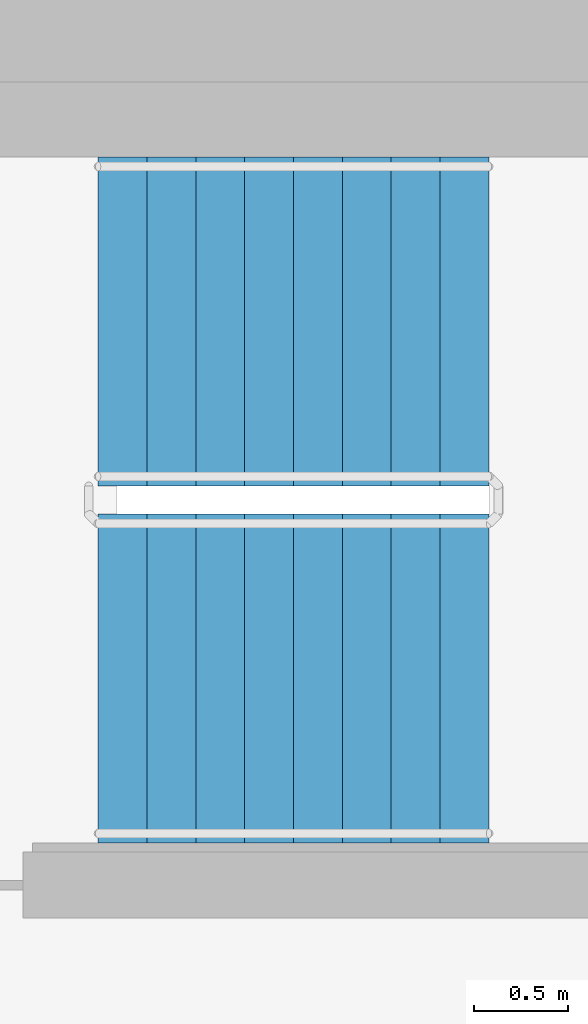
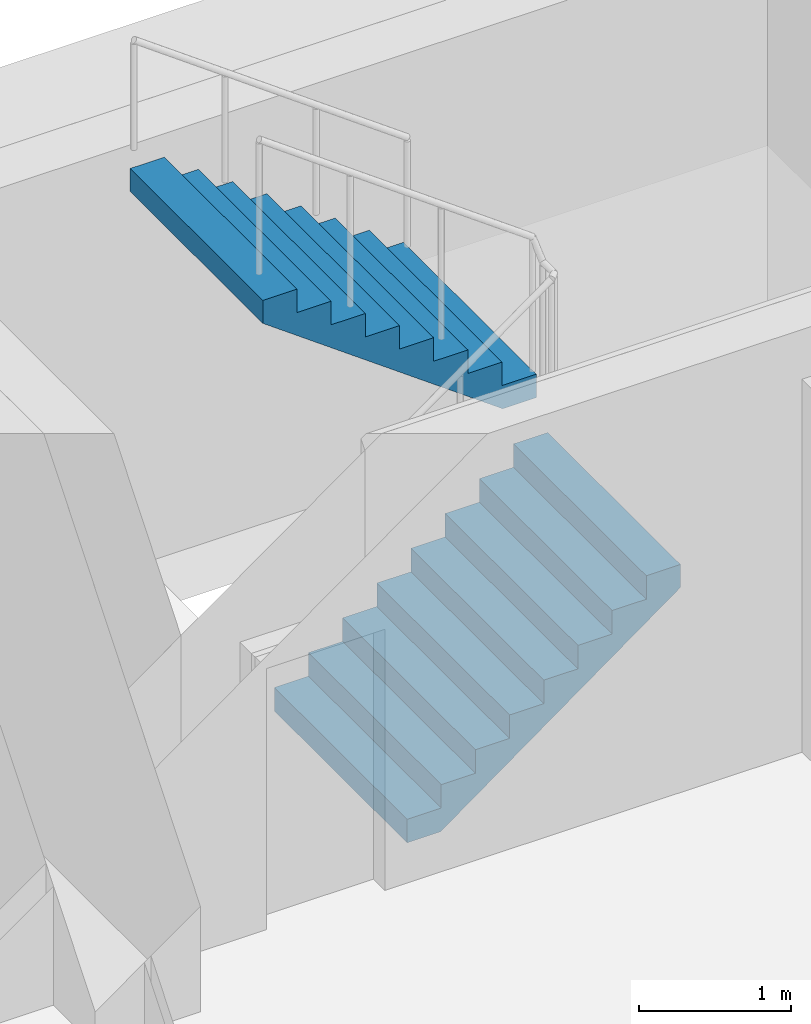
# One storey, part 15 of 20: 2 stair flights, 1 element without a shape of its own.
"""IFC4 building model written with IfcOpenShell, lengths in metres."""

from ifc_helpers import new_model, si_unit, direction, frame, origin, place, context, subcontext, project, spatial, faceted_brep, material, type_object, element, aggregate, save


model = new_model("IFC4")

# Units and contexts
model_context = context("Model", 3, precision=1e-05, world=origin(), true_north=direction((0.0, 1.0)))
body_context = subcontext(model_context, "Body", "Model", "MODEL_VIEW")
ifc_project = project(units=[si_unit("LENGTHUNIT", "METRE"), si_unit("AREAUNIT", "SQUARE_METRE"), si_unit("VOLUMEUNIT", "CUBIC_METRE"), si_unit("PLANEANGLEUNIT", "RADIAN"), si_unit("MASSUNIT", "GRAM", prefix="KILO")], contexts=[model_context])

# Site, building, storey
site_placement = place(None, origin())
site = spatial("IfcSite", under=ifc_project, at=site_placement, CompositionType="ELEMENT")
building_placement = place(site_placement, origin())
building = spatial("IfcBuilding", under=site, at=building_placement, Name="Ipe Terrace Towers", CompositionType="ELEMENT")
storey_placement = place(building_placement, frame((0.0, 0.0, 167.699951171875)))
storey = spatial("IfcBuildingStorey", under=building, at=storey_placement, Name="L46", CompositionType="ELEMENT", Elevation=167.699951171875)

# Stair, stair flights
ifc_material_1 = material(Name="Concrete C30/37", Category="concrete")
stair_type = type_object("IfcStairType", Name="Protected exit stair", PredefinedType="HALF_TURN_STAIR", material=ifc_material_1)
stair_placement = place(storey_placement, origin())
stair = element("IfcStair", 1, at=stair_placement, inside=storey, type_object=stair_type, Name="L46 Exit stair T1-C1", PredefinedType="HALF_TURN_STAIR")
ifc_material_2 = material(Name="Concrete C30/37", Category="concrete")
stair_flight_type = type_object("IfcStairFlightType", Name="Exit stair flight 1750", PredefinedType="STRAIGHT", material=ifc_material_2)
stair_flight_1_placement = place(storey_placement, frame((-26.300048828125, 2.77490234375, 0.0), z_axis=(0.0, 0.0, 1.0), x_axis=(1.0, 0.0, 0.0)))
stair_flight_1 = element("IfcStairFlight", 2, at=stair_flight_1_placement, type_object=stair_flight_type, Name="T1-ST1 flight 1", NumberOfRisers=9, NumberOfTreads=8, PredefinedType="STRAIGHT", RiserHeight=0.188888889, TreadLength=0.26, context=body_context, shape_type="Brep", body=[
    faceted_brep([(0.255126953125, -0.875, 0.0), (2.080078125, -0.875, 1.325927734375), (2.080078125, -0.875, 1.51123046875), (1.820068359375, -0.875, 1.51123046875), (1.820068359375, -0.875, 1.322265625), (1.56005859375, -0.875, 1.322265625), (1.56005859375, -0.875, 1.13330078125), (1.300048828125, -0.875, 1.13330078125), (1.300048828125, -0.875, 0.9443359375), (1.0400390625, -0.875, 0.9443359375), (1.0400390625, -0.875, 0.755615234375), (0.780029296875, -0.875, 0.755615234375), (0.780029296875, -0.875, 0.566650390625), (0.52001953125, -0.875, 0.566650390625), (0.52001953125, -0.875, 0.377685546875), (0.260009765625, -0.875, 0.377685546875), (0.260009765625, -0.875, 0.18896484375), (0.0, -0.875, 0.18896484375), (0.0, -0.875, 0.0), (0.0, 0.875, 0.0), (0.0, 0.875, 0.18896484375), (0.260009765625, 0.875, 0.18896484375), (0.260009765625, 0.875, 0.377685546875), (0.52001953125, 0.875, 0.377685546875), (0.52001953125, 0.875, 0.566650390625), (0.780029296875, 0.875, 0.566650390625), (0.780029296875, 0.875, 0.755615234375), (1.0400390625, 0.875, 0.755615234375), (1.0400390625, 0.875, 0.9443359375), (1.300048828125, 0.875, 0.9443359375), (1.300048828125, 0.875, 1.13330078125), (1.56005859375, 0.875, 1.13330078125), (1.56005859375, 0.875, 1.322265625), (1.820068359375, 0.875, 1.322265625), (1.820068359375, 0.875, 1.51123046875), (2.080078125, 0.875, 1.51123046875), (2.080078125, 0.875, 1.325927734375), (0.255126953125, 0.875, 0.0), (0.0, -0.300048828125, 0.18896484375), (0.0, -0.1201171875, 0.18896484375), (0.0, -0.06005859375, 0.18896484375), (0.0, -0.030029296875, 0.18896484375), (0.0, -0.010009765625, 0.18896484375), (0.0, 0.0, 0.18896484375), (0.0, 0.010009765625, 0.18896484375), (0.0, 0.030029296875, 0.18896484375), (0.0, 0.06005859375, 0.18896484375), (0.0, 0.1201171875, 0.18896484375), (0.0, 0.300048828125, 0.18896484375), (0.0, 0.300048828125, 0.0), (0.0, 0.1201171875, 0.0), (0.0, 0.06005859375, 0.0), (0.0, 0.030029296875, 0.0), (0.0, 0.010009765625, 0.0), (0.0, 0.0, 0.0), (0.0, -0.010009765625, 0.0), (0.0, -0.030029296875, 0.0), (0.0, -0.06005859375, 0.0), (0.0, -0.1201171875, 0.0), (0.0, -0.300048828125, 0.0), (0.260009765625, -0.300048828125, 0.18896484375), (0.260009765625, -0.1201171875, 0.18896484375), (0.260009765625, -0.06005859375, 0.18896484375), (0.260009765625, -0.030029296875, 0.18896484375), (0.260009765625, -0.010009765625, 0.18896484375), (0.260009765625, 0.0, 0.18896484375), (0.260009765625, 0.010009765625, 0.18896484375), (0.260009765625, 0.030029296875, 0.18896484375), (0.260009765625, 0.06005859375, 0.18896484375), (0.260009765625, 0.1201171875, 0.18896484375), (0.260009765625, 0.300048828125, 0.18896484375), (0.260009765625, -0.300048828125, 0.377685546875), (0.260009765625, -0.1201171875, 0.377685546875), (0.260009765625, -0.06005859375, 0.377685546875), (0.260009765625, -0.030029296875, 0.377685546875), (0.260009765625, -0.010009765625, 0.377685546875), (0.260009765625, 0.0, 0.377685546875), (0.260009765625, 0.010009765625, 0.377685546875), (0.260009765625, 0.030029296875, 0.377685546875), (0.260009765625, 0.06005859375, 0.377685546875), (0.260009765625, 0.1201171875, 0.377685546875), (0.260009765625, 0.300048828125, 0.377685546875), (0.52001953125, -0.300048828125, 0.377685546875), (0.52001953125, -0.1201171875, 0.377685546875), (0.52001953125, -0.06005859375, 0.377685546875), (0.52001953125, -0.030029296875, 0.377685546875), (0.52001953125, -0.010009765625, 0.377685546875), (0.52001953125, 0.0, 0.377685546875), (0.52001953125, 0.010009765625, 0.377685546875), (0.52001953125, 0.030029296875, 0.377685546875), (0.52001953125, 0.06005859375, 0.377685546875), (0.52001953125, 0.1201171875, 0.377685546875), (0.52001953125, 0.300048828125, 0.377685546875), (0.52001953125, -0.300048828125, 0.566650390625), (0.52001953125, -0.1201171875, 0.566650390625), (0.52001953125, -0.06005859375, 0.566650390625), (0.52001953125, -0.030029296875, 0.566650390625), (0.52001953125, -0.010009765625, 0.566650390625), (0.52001953125, 0.0, 0.566650390625), (0.52001953125, 0.010009765625, 0.566650390625), (0.52001953125, 0.030029296875, 0.566650390625), (0.52001953125, 0.06005859375, 0.566650390625), (0.52001953125, 0.1201171875, 0.566650390625), (0.52001953125, 0.300048828125, 0.566650390625), (0.780029296875, -0.300048828125, 0.566650390625), (0.780029296875, -0.1201171875, 0.566650390625), (0.780029296875, -0.06005859375, 0.566650390625), (0.780029296875, -0.030029296875, 0.566650390625), (0.780029296875, -0.010009765625, 0.566650390625), (0.780029296875, 0.0, 0.566650390625), (0.780029296875, 0.010009765625, 0.566650390625), (0.780029296875, 0.030029296875, 0.566650390625), (0.780029296875, 0.06005859375, 0.566650390625), (0.780029296875, 0.1201171875, 0.566650390625), (0.780029296875, 0.300048828125, 0.566650390625), (0.780029296875, -0.300048828125, 0.755615234375), (0.780029296875, -0.1201171875, 0.755615234375), (0.780029296875, -0.06005859375, 0.755615234375), (0.780029296875, -0.030029296875, 0.755615234375), (0.780029296875, -0.010009765625, 0.755615234375), (0.780029296875, 0.0, 0.755615234375), (0.780029296875, 0.010009765625, 0.755615234375), (0.780029296875, 0.030029296875, 0.755615234375), (0.780029296875, 0.06005859375, 0.755615234375), (0.780029296875, 0.1201171875, 0.755615234375), (0.780029296875, 0.300048828125, 0.755615234375), (1.0400390625, -0.300048828125, 0.755615234375), (1.0400390625, -0.1201171875, 0.755615234375), (1.0400390625, -0.06005859375, 0.755615234375), (1.0400390625, -0.030029296875, 0.755615234375), (1.0400390625, -0.010009765625, 0.755615234375), (1.0400390625, 0.0, 0.755615234375), (1.0400390625, 0.010009765625, 0.755615234375), (1.0400390625, 0.030029296875, 0.755615234375), (1.0400390625, 0.06005859375, 0.755615234375), (1.0400390625, 0.1201171875, 0.755615234375), (1.0400390625, 0.300048828125, 0.755615234375), (1.0400390625, -0.300048828125, 0.9443359375), (1.0400390625, -0.1201171875, 0.9443359375), (1.0400390625, -0.06005859375, 0.9443359375), (1.0400390625, -0.030029296875, 0.9443359375), (1.0400390625, -0.010009765625, 0.9443359375), (1.0400390625, 0.0, 0.9443359375), (1.0400390625, 0.010009765625, 0.9443359375), (1.0400390625, 0.030029296875, 0.9443359375), (1.0400390625, 0.06005859375, 0.9443359375), (1.0400390625, 0.1201171875, 0.9443359375), (1.0400390625, 0.300048828125, 0.9443359375), (1.300048828125, -0.300048828125, 0.9443359375), (1.300048828125, -0.1201171875, 0.9443359375), (1.300048828125, -0.06005859375, 0.9443359375), (1.300048828125, -0.030029296875, 0.9443359375), (1.300048828125, -0.010009765625, 0.9443359375), (1.300048828125, 0.0, 0.9443359375), (1.300048828125, 0.010009765625, 0.9443359375), (1.300048828125, 0.030029296875, 0.9443359375), (1.300048828125, 0.06005859375, 0.9443359375), (1.300048828125, 0.1201171875, 0.9443359375), (1.300048828125, 0.300048828125, 0.9443359375), (1.300048828125, -0.300048828125, 1.13330078125), (1.300048828125, -0.1201171875, 1.13330078125), (1.300048828125, -0.06005859375, 1.13330078125), (1.300048828125, -0.030029296875, 1.13330078125), (1.300048828125, -0.010009765625, 1.13330078125), (1.300048828125, 0.0, 1.13330078125), (1.300048828125, 0.010009765625, 1.13330078125), (1.300048828125, 0.030029296875, 1.13330078125), (1.300048828125, 0.06005859375, 1.13330078125), (1.300048828125, 0.1201171875, 1.13330078125), (1.300048828125, 0.300048828125, 1.13330078125), (1.56005859375, -0.300048828125, 1.13330078125), (1.56005859375, -0.1201171875, 1.13330078125), (1.56005859375, -0.06005859375, 1.13330078125), (1.56005859375, -0.030029296875, 1.13330078125), (1.56005859375, -0.010009765625, 1.13330078125), (1.56005859375, 0.0, 1.13330078125), (1.56005859375, 0.010009765625, 1.13330078125), (1.56005859375, 0.030029296875, 1.13330078125), (1.56005859375, 0.06005859375, 1.13330078125), (1.56005859375, 0.1201171875, 1.13330078125), (1.56005859375, 0.300048828125, 1.13330078125), (1.56005859375, -0.300048828125, 1.322265625), (1.56005859375, -0.1201171875, 1.322265625), (1.56005859375, -0.06005859375, 1.322265625), (1.56005859375, -0.030029296875, 1.322265625), (1.56005859375, -0.010009765625, 1.322265625), (1.56005859375, 0.0, 1.322265625), (1.56005859375, 0.010009765625, 1.322265625), (1.56005859375, 0.030029296875, 1.322265625), (1.56005859375, 0.06005859375, 1.322265625), (1.56005859375, 0.1201171875, 1.322265625), (1.56005859375, 0.300048828125, 1.322265625), (1.820068359375, -0.300048828125, 1.322265625), (1.820068359375, -0.1201171875, 1.322265625), (1.820068359375, -0.06005859375, 1.322265625), (1.820068359375, -0.030029296875, 1.322265625), (1.820068359375, -0.010009765625, 1.322265625), (1.820068359375, 0.0, 1.322265625), (1.820068359375, 0.010009765625, 1.322265625), (1.820068359375, 0.030029296875, 1.322265625), (1.820068359375, 0.06005859375, 1.322265625), (1.820068359375, 0.1201171875, 1.322265625), (1.820068359375, 0.300048828125, 1.322265625), (1.820068359375, -0.300048828125, 1.51123046875), (1.820068359375, -0.1201171875, 1.51123046875), (1.820068359375, -0.06005859375, 1.51123046875), (1.820068359375, -0.030029296875, 1.51123046875), (1.820068359375, -0.010009765625, 1.51123046875), (1.820068359375, 0.0, 1.51123046875), (1.820068359375, 0.010009765625, 1.51123046875), (1.820068359375, 0.030029296875, 1.51123046875), (1.820068359375, 0.06005859375, 1.51123046875), (1.820068359375, 0.1201171875, 1.51123046875), (1.820068359375, 0.300048828125, 1.51123046875), (2.080078125, -0.300048828125, 1.51123046875), (2.080078125, -0.1201171875, 1.51123046875), (2.080078125, -0.06005859375, 1.51123046875), (2.080078125, -0.030029296875, 1.51123046875), (2.080078125, -0.010009765625, 1.51123046875), (2.080078125, 0.0, 1.51123046875), (2.080078125, 0.010009765625, 1.51123046875), (2.080078125, 0.030029296875, 1.51123046875), (2.080078125, 0.06005859375, 1.51123046875), (2.080078125, 0.1201171875, 1.51123046875), (2.080078125, 0.300048828125, 1.51123046875), (2.080078125, -0.300048828125, 1.325927734375), (2.080078125, -0.1201171875, 1.325927734375), (2.080078125, -0.06005859375, 1.325927734375), (2.080078125, -0.030029296875, 1.325927734375), (2.080078125, -0.010009765625, 1.325927734375), (2.080078125, 0.0, 1.325927734375), (2.080078125, 0.010009765625, 1.325927734375), (2.080078125, 0.030029296875, 1.325927734375), (2.080078125, 0.06005859375, 1.325927734375), (2.080078125, 0.1201171875, 1.325927734375), (2.080078125, 0.300048828125, 1.325927734375), (0.255126953125, -0.300048828125, 0.0), (0.255126953125, -0.1201171875, 0.0), (0.255126953125, -0.06005859375, 0.0), (0.255126953125, -0.030029296875, 0.0), (0.255126953125, -0.010009765625, 0.0), (0.255126953125, 0.0, 0.0), (0.255126953125, 0.010009765625, 0.0), (0.255126953125, 0.030029296875, 0.0), (0.255126953125, 0.06005859375, 0.0), (0.255126953125, 0.1201171875, 0.0), (0.255126953125, 0.300048828125, 0.0)], [[[0, 1, 2, 3, 4, 5, 6, 7, 8, 9, 10, 11, 12, 13, 14, 15, 16, 17, 18]], [[19, 20, 21, 22, 23, 24, 25, 26, 27, 28, 29, 30, 31, 32, 33, 34, 35, 36, 37]], [[17, 38, 39, 40, 41, 42, 43, 44, 45, 46, 47, 48, 20, 19, 49, 50, 51, 52, 53, 54, 55, 56, 57, 58, 59, 18]], [[16, 60, 61, 62, 63, 64, 65, 66, 67, 68, 69, 70, 21, 20, 48, 47, 46, 45, 44, 43, 42, 41, 40, 39, 38, 17]], [[15, 71, 72, 73, 74, 75, 76, 77, 78, 79, 80, 81, 22, 21, 70, 69, 68, 67, 66, 65, 64, 63, 62, 61, 60, 16]], [[14, 82, 83, 84, 85, 86, 87, 88, 89, 90, 91, 92, 23, 22, 81, 80, 79, 78, 77, 76, 75, 74, 73, 72, 71, 15]], [[13, 93, 94, 95, 96, 97, 98, 99, 100, 101, 102, 103, 24, 23, 92, 91, 90, 89, 88, 87, 86, 85, 84, 83, 82, 14]], [[12, 104, 105, 106, 107, 108, 109, 110, 111, 112, 113, 114, 25, 24, 103, 102, 101, 100, 99, 98, 97, 96, 95, 94, 93, 13]], [[11, 115, 116, 117, 118, 119, 120, 121, 122, 123, 124, 125, 26, 25, 114, 113, 112, 111, 110, 109, 108, 107, 106, 105, 104, 12]], [[10, 126, 127, 128, 129, 130, 131, 132, 133, 134, 135, 136, 27, 26, 125, 124, 123, 122, 121, 120, 119, 118, 117, 116, 115, 11]], [[9, 137, 138, 139, 140, 141, 142, 143, 144, 145, 146, 147, 28, 27, 136, 135, 134, 133, 132, 131, 130, 129, 128, 127, 126, 10]], [[8, 148, 149, 150, 151, 152, 153, 154, 155, 156, 157, 158, 29, 28, 147, 146, 145, 144, 143, 142, 141, 140, 139, 138, 137, 9]], [[7, 159, 160, 161, 162, 163, 164, 165, 166, 167, 168, 169, 30, 29, 158, 157, 156, 155, 154, 153, 152, 151, 150, 149, 148, 8]], [[6, 170, 171, 172, 173, 174, 175, 176, 177, 178, 179, 180, 31, 30, 169, 168, 167, 166, 165, 164, 163, 162, 161, 160, 159, 7]], [[5, 181, 182, 183, 184, 185, 186, 187, 188, 189, 190, 191, 32, 31, 180, 179, 178, 177, 176, 175, 174, 173, 172, 171, 170, 6]], [[4, 192, 193, 194, 195, 196, 197, 198, 199, 200, 201, 202, 33, 32, 191, 190, 189, 188, 187, 186, 185, 184, 183, 182, 181, 5]], [[3, 203, 204, 205, 206, 207, 208, 209, 210, 211, 212, 213, 34, 33, 202, 201, 200, 199, 198, 197, 196, 195, 194, 193, 192, 4]], [[2, 214, 215, 216, 217, 218, 219, 220, 221, 222, 223, 224, 35, 34, 213, 212, 211, 210, 209, 208, 207, 206, 205, 204, 203, 3]], [[1, 225, 226, 227, 228, 229, 230, 231, 232, 233, 234, 235, 36, 35, 224, 223, 222, 221, 220, 219, 218, 217, 216, 215, 214, 2]], [[0, 236, 237, 238, 239, 240, 241, 242, 243, 244, 245, 246, 37, 36, 235, 234, 233, 232, 231, 230, 229, 228, 227, 226, 225, 1]], [[18, 59, 58, 57, 56, 55, 54, 53, 52, 51, 50, 49, 19, 37, 246, 245, 244, 243, 242, 241, 240, 239, 238, 237, 236, 0]]]),
])
stair_flight_2_placement = place(storey_placement, frame((-24.219970703125, 4.675048828125, 1.699951171875), z_axis=(0.0, 0.0, 1.0), x_axis=(-1.0, 0.0, 0.0)))
stair_flight_2 = element("IfcStairFlight", 3, at=stair_flight_2_placement, type_object=stair_flight_type, Name="T1-ST1 flight 2", NumberOfRisers=9, NumberOfTreads=8, PredefinedType="STRAIGHT", RiserHeight=0.188888889, TreadLength=0.26, context=body_context, shape_type="Brep", body=[
    faceted_brep([(0.255126953125, -0.875, 0.0), (2.080078125, -0.875, 1.325927734375), (2.080078125, -0.875, 1.51123046875), (1.820068359375, -0.875, 1.51123046875), (1.820068359375, -0.875, 1.322265625), (1.56005859375, -0.875, 1.322265625), (1.56005859375, -0.875, 1.13330078125), (1.300048828125, -0.875, 1.13330078125), (1.300048828125, -0.875, 0.9443359375), (1.0400390625, -0.875, 0.9443359375), (1.0400390625, -0.875, 0.755615234375), (0.780029296875, -0.875, 0.755615234375), (0.780029296875, -0.875, 0.566650390625), (0.52001953125, -0.875, 0.566650390625), (0.52001953125, -0.875, 0.377685546875), (0.260009765625, -0.875, 0.377685546875), (0.260009765625, -0.875, 0.18896484375), (0.0, -0.875, 0.18896484375), (0.0, -0.875, 0.0), (0.0, 0.875, 0.0), (0.0, 0.875, 0.18896484375), (0.260009765625, 0.875, 0.18896484375), (0.260009765625, 0.875, 0.377685546875), (0.52001953125, 0.875, 0.377685546875), (0.52001953125, 0.875, 0.566650390625), (0.780029296875, 0.875, 0.566650390625), (0.780029296875, 0.875, 0.755615234375), (1.0400390625, 0.875, 0.755615234375), (1.0400390625, 0.875, 0.9443359375), (1.300048828125, 0.875, 0.9443359375), (1.300048828125, 0.875, 1.13330078125), (1.56005859375, 0.875, 1.13330078125), (1.56005859375, 0.875, 1.322265625), (1.820068359375, 0.875, 1.322265625), (1.820068359375, 0.875, 1.51123046875), (2.080078125, 0.875, 1.51123046875), (2.080078125, 0.875, 1.325927734375), (0.255126953125, 0.875, 0.0), (0.0, -0.300048828125, 0.18896484375), (0.0, -0.1201171875, 0.18896484375), (0.0, -0.06005859375, 0.18896484375), (0.0, -0.030029296875, 0.18896484375), (0.0, -0.010009765625, 0.18896484375), (0.0, 0.0, 0.18896484375), (0.0, 0.010009765625, 0.18896484375), (0.0, 0.030029296875, 0.18896484375), (0.0, 0.06005859375, 0.18896484375), (0.0, 0.1201171875, 0.18896484375), (0.0, 0.300048828125, 0.18896484375), (0.0, 0.300048828125, 0.0), (0.0, 0.1201171875, 0.0), (0.0, 0.06005859375, 0.0), (0.0, 0.030029296875, 0.0), (0.0, 0.010009765625, 0.0), (0.0, 0.0, 0.0), (0.0, -0.010009765625, 0.0), (0.0, -0.030029296875, 0.0), (0.0, -0.06005859375, 0.0), (0.0, -0.1201171875, 0.0), (0.0, -0.300048828125, 0.0), (0.260009765625, -0.300048828125, 0.18896484375), (0.260009765625, -0.1201171875, 0.18896484375), (0.260009765625, -0.06005859375, 0.18896484375), (0.260009765625, -0.030029296875, 0.18896484375), (0.260009765625, -0.010009765625, 0.18896484375), (0.260009765625, 0.0, 0.18896484375), (0.260009765625, 0.010009765625, 0.18896484375), (0.260009765625, 0.030029296875, 0.18896484375), (0.260009765625, 0.06005859375, 0.18896484375), (0.260009765625, 0.1201171875, 0.18896484375), (0.260009765625, 0.300048828125, 0.18896484375), (0.260009765625, -0.300048828125, 0.377685546875), (0.260009765625, -0.1201171875, 0.377685546875), (0.260009765625, -0.06005859375, 0.377685546875), (0.260009765625, -0.030029296875, 0.377685546875), (0.260009765625, -0.010009765625, 0.377685546875), (0.260009765625, 0.0, 0.377685546875), (0.260009765625, 0.010009765625, 0.377685546875), (0.260009765625, 0.030029296875, 0.377685546875), (0.260009765625, 0.06005859375, 0.377685546875), (0.260009765625, 0.1201171875, 0.377685546875), (0.260009765625, 0.300048828125, 0.377685546875), (0.52001953125, -0.300048828125, 0.377685546875), (0.52001953125, -0.1201171875, 0.377685546875), (0.52001953125, -0.06005859375, 0.377685546875), (0.52001953125, -0.030029296875, 0.377685546875), (0.52001953125, -0.010009765625, 0.377685546875), (0.52001953125, 0.0, 0.377685546875), (0.52001953125, 0.010009765625, 0.377685546875), (0.52001953125, 0.030029296875, 0.377685546875), (0.52001953125, 0.06005859375, 0.377685546875), (0.52001953125, 0.1201171875, 0.377685546875), (0.52001953125, 0.300048828125, 0.377685546875), (0.52001953125, -0.300048828125, 0.566650390625), (0.52001953125, -0.1201171875, 0.566650390625), (0.52001953125, -0.06005859375, 0.566650390625), (0.52001953125, -0.030029296875, 0.566650390625), (0.52001953125, -0.010009765625, 0.566650390625), (0.52001953125, 0.0, 0.566650390625), (0.52001953125, 0.010009765625, 0.566650390625), (0.52001953125, 0.030029296875, 0.566650390625), (0.52001953125, 0.06005859375, 0.566650390625), (0.52001953125, 0.1201171875, 0.566650390625), (0.52001953125, 0.300048828125, 0.566650390625), (0.780029296875, -0.300048828125, 0.566650390625), (0.780029296875, -0.1201171875, 0.566650390625), (0.780029296875, -0.06005859375, 0.566650390625), (0.780029296875, -0.030029296875, 0.566650390625), (0.780029296875, -0.010009765625, 0.566650390625), (0.780029296875, 0.0, 0.566650390625), (0.780029296875, 0.010009765625, 0.566650390625), (0.780029296875, 0.030029296875, 0.566650390625), (0.780029296875, 0.06005859375, 0.566650390625), (0.780029296875, 0.1201171875, 0.566650390625), (0.780029296875, 0.300048828125, 0.566650390625), (0.780029296875, -0.300048828125, 0.755615234375), (0.780029296875, -0.1201171875, 0.755615234375), (0.780029296875, -0.06005859375, 0.755615234375), (0.780029296875, -0.030029296875, 0.755615234375), (0.780029296875, -0.010009765625, 0.755615234375), (0.780029296875, 0.0, 0.755615234375), (0.780029296875, 0.010009765625, 0.755615234375), (0.780029296875, 0.030029296875, 0.755615234375), (0.780029296875, 0.06005859375, 0.755615234375), (0.780029296875, 0.1201171875, 0.755615234375), (0.780029296875, 0.300048828125, 0.755615234375), (1.0400390625, -0.300048828125, 0.755615234375), (1.0400390625, -0.1201171875, 0.755615234375), (1.0400390625, -0.06005859375, 0.755615234375), (1.0400390625, -0.030029296875, 0.755615234375), (1.0400390625, -0.010009765625, 0.755615234375), (1.0400390625, 0.0, 0.755615234375), (1.0400390625, 0.010009765625, 0.755615234375), (1.0400390625, 0.030029296875, 0.755615234375), (1.0400390625, 0.06005859375, 0.755615234375), (1.0400390625, 0.1201171875, 0.755615234375), (1.0400390625, 0.300048828125, 0.755615234375), (1.0400390625, -0.300048828125, 0.9443359375), (1.0400390625, -0.1201171875, 0.9443359375), (1.0400390625, -0.06005859375, 0.9443359375), (1.0400390625, -0.030029296875, 0.9443359375), (1.0400390625, -0.010009765625, 0.9443359375), (1.0400390625, 0.0, 0.9443359375), (1.0400390625, 0.010009765625, 0.9443359375), (1.0400390625, 0.030029296875, 0.9443359375), (1.0400390625, 0.06005859375, 0.9443359375), (1.0400390625, 0.1201171875, 0.9443359375), (1.0400390625, 0.300048828125, 0.9443359375), (1.300048828125, -0.300048828125, 0.9443359375), (1.300048828125, -0.1201171875, 0.9443359375), (1.300048828125, -0.06005859375, 0.9443359375), (1.300048828125, -0.030029296875, 0.9443359375), (1.300048828125, -0.010009765625, 0.9443359375), (1.300048828125, 0.0, 0.9443359375), (1.300048828125, 0.010009765625, 0.9443359375), (1.300048828125, 0.030029296875, 0.9443359375), (1.300048828125, 0.06005859375, 0.9443359375), (1.300048828125, 0.1201171875, 0.9443359375), (1.300048828125, 0.300048828125, 0.9443359375), (1.300048828125, -0.300048828125, 1.13330078125), (1.300048828125, -0.1201171875, 1.13330078125), (1.300048828125, -0.06005859375, 1.13330078125), (1.300048828125, -0.030029296875, 1.13330078125), (1.300048828125, -0.010009765625, 1.13330078125), (1.300048828125, 0.0, 1.13330078125), (1.300048828125, 0.010009765625, 1.13330078125), (1.300048828125, 0.030029296875, 1.13330078125), (1.300048828125, 0.06005859375, 1.13330078125), (1.300048828125, 0.1201171875, 1.13330078125), (1.300048828125, 0.300048828125, 1.13330078125), (1.56005859375, -0.300048828125, 1.13330078125), (1.56005859375, -0.1201171875, 1.13330078125), (1.56005859375, -0.06005859375, 1.13330078125), (1.56005859375, -0.030029296875, 1.13330078125), (1.56005859375, -0.010009765625, 1.13330078125), (1.56005859375, 0.0, 1.13330078125), (1.56005859375, 0.010009765625, 1.13330078125), (1.56005859375, 0.030029296875, 1.13330078125), (1.56005859375, 0.06005859375, 1.13330078125), (1.56005859375, 0.1201171875, 1.13330078125), (1.56005859375, 0.300048828125, 1.13330078125), (1.56005859375, -0.300048828125, 1.322265625), (1.56005859375, -0.1201171875, 1.322265625), (1.56005859375, -0.06005859375, 1.322265625), (1.56005859375, -0.030029296875, 1.322265625), (1.56005859375, -0.010009765625, 1.322265625), (1.56005859375, 0.0, 1.322265625), (1.56005859375, 0.010009765625, 1.322265625), (1.56005859375, 0.030029296875, 1.322265625), (1.56005859375, 0.06005859375, 1.322265625), (1.56005859375, 0.1201171875, 1.322265625), (1.56005859375, 0.300048828125, 1.322265625), (1.820068359375, -0.300048828125, 1.322265625), (1.820068359375, -0.1201171875, 1.322265625), (1.820068359375, -0.06005859375, 1.322265625), (1.820068359375, -0.030029296875, 1.322265625), (1.820068359375, -0.010009765625, 1.322265625), (1.820068359375, 0.0, 1.322265625), (1.820068359375, 0.010009765625, 1.322265625), (1.820068359375, 0.030029296875, 1.322265625), (1.820068359375, 0.06005859375, 1.322265625), (1.820068359375, 0.1201171875, 1.322265625), (1.820068359375, 0.300048828125, 1.322265625), (1.820068359375, -0.300048828125, 1.51123046875), (1.820068359375, -0.1201171875, 1.51123046875), (1.820068359375, -0.06005859375, 1.51123046875), (1.820068359375, -0.030029296875, 1.51123046875), (1.820068359375, -0.010009765625, 1.51123046875), (1.820068359375, 0.0, 1.51123046875), (1.820068359375, 0.010009765625, 1.51123046875), (1.820068359375, 0.030029296875, 1.51123046875), (1.820068359375, 0.06005859375, 1.51123046875), (1.820068359375, 0.1201171875, 1.51123046875), (1.820068359375, 0.300048828125, 1.51123046875), (2.080078125, -0.300048828125, 1.51123046875), (2.080078125, -0.1201171875, 1.51123046875), (2.080078125, -0.06005859375, 1.51123046875), (2.080078125, -0.030029296875, 1.51123046875), (2.080078125, -0.010009765625, 1.51123046875), (2.080078125, 0.0, 1.51123046875), (2.080078125, 0.010009765625, 1.51123046875), (2.080078125, 0.030029296875, 1.51123046875), (2.080078125, 0.06005859375, 1.51123046875), (2.080078125, 0.1201171875, 1.51123046875), (2.080078125, 0.300048828125, 1.51123046875), (2.080078125, -0.300048828125, 1.325927734375), (2.080078125, -0.1201171875, 1.325927734375), (2.080078125, -0.06005859375, 1.325927734375), (2.080078125, -0.030029296875, 1.325927734375), (2.080078125, -0.010009765625, 1.325927734375), (2.080078125, 0.0, 1.325927734375), (2.080078125, 0.010009765625, 1.325927734375), (2.080078125, 0.030029296875, 1.325927734375), (2.080078125, 0.06005859375, 1.325927734375), (2.080078125, 0.1201171875, 1.325927734375), (2.080078125, 0.300048828125, 1.325927734375), (0.255126953125, -0.300048828125, 0.0), (0.255126953125, -0.1201171875, 0.0), (0.255126953125, -0.06005859375, 0.0), (0.255126953125, -0.030029296875, 0.0), (0.255126953125, -0.010009765625, 0.0), (0.255126953125, 0.0, 0.0), (0.255126953125, 0.010009765625, 0.0), (0.255126953125, 0.030029296875, 0.0), (0.255126953125, 0.06005859375, 0.0), (0.255126953125, 0.1201171875, 0.0), (0.255126953125, 0.300048828125, 0.0)], [[[0, 1, 2, 3, 4, 5, 6, 7, 8, 9, 10, 11, 12, 13, 14, 15, 16, 17, 18]], [[19, 20, 21, 22, 23, 24, 25, 26, 27, 28, 29, 30, 31, 32, 33, 34, 35, 36, 37]], [[17, 38, 39, 40, 41, 42, 43, 44, 45, 46, 47, 48, 20, 19, 49, 50, 51, 52, 53, 54, 55, 56, 57, 58, 59, 18]], [[16, 60, 61, 62, 63, 64, 65, 66, 67, 68, 69, 70, 21, 20, 48, 47, 46, 45, 44, 43, 42, 41, 40, 39, 38, 17]], [[15, 71, 72, 73, 74, 75, 76, 77, 78, 79, 80, 81, 22, 21, 70, 69, 68, 67, 66, 65, 64, 63, 62, 61, 60, 16]], [[14, 82, 83, 84, 85, 86, 87, 88, 89, 90, 91, 92, 23, 22, 81, 80, 79, 78, 77, 76, 75, 74, 73, 72, 71, 15]], [[13, 93, 94, 95, 96, 97, 98, 99, 100, 101, 102, 103, 24, 23, 92, 91, 90, 89, 88, 87, 86, 85, 84, 83, 82, 14]], [[12, 104, 105, 106, 107, 108, 109, 110, 111, 112, 113, 114, 25, 24, 103, 102, 101, 100, 99, 98, 97, 96, 95, 94, 93, 13]], [[11, 115, 116, 117, 118, 119, 120, 121, 122, 123, 124, 125, 26, 25, 114, 113, 112, 111, 110, 109, 108, 107, 106, 105, 104, 12]], [[10, 126, 127, 128, 129, 130, 131, 132, 133, 134, 135, 136, 27, 26, 125, 124, 123, 122, 121, 120, 119, 118, 117, 116, 115, 11]], [[9, 137, 138, 139, 140, 141, 142, 143, 144, 145, 146, 147, 28, 27, 136, 135, 134, 133, 132, 131, 130, 129, 128, 127, 126, 10]], [[8, 148, 149, 150, 151, 152, 153, 154, 155, 156, 157, 158, 29, 28, 147, 146, 145, 144, 143, 142, 141, 140, 139, 138, 137, 9]], [[7, 159, 160, 161, 162, 163, 164, 165, 166, 167, 168, 169, 30, 29, 158, 157, 156, 155, 154, 153, 152, 151, 150, 149, 148, 8]], [[6, 170, 171, 172, 173, 174, 175, 176, 177, 178, 179, 180, 31, 30, 169, 168, 167, 166, 165, 164, 163, 162, 161, 160, 159, 7]], [[5, 181, 182, 183, 184, 185, 186, 187, 188, 189, 190, 191, 32, 31, 180, 179, 178, 177, 176, 175, 174, 173, 172, 171, 170, 6]], [[4, 192, 193, 194, 195, 196, 197, 198, 199, 200, 201, 202, 33, 32, 191, 190, 189, 188, 187, 186, 185, 184, 183, 182, 181, 5]], [[3, 203, 204, 205, 206, 207, 208, 209, 210, 211, 212, 213, 34, 33, 202, 201, 200, 199, 198, 197, 196, 195, 194, 193, 192, 4]], [[2, 214, 215, 216, 217, 218, 219, 220, 221, 222, 223, 224, 35, 34, 213, 212, 211, 210, 209, 208, 207, 206, 205, 204, 203, 3]], [[1, 225, 226, 227, 228, 229, 230, 231, 232, 233, 234, 235, 36, 35, 224, 223, 222, 221, 220, 219, 218, 217, 216, 215, 214, 2]], [[0, 236, 237, 238, 239, 240, 241, 242, 243, 244, 245, 246, 37, 36, 235, 234, 233, 232, 231, 230, 229, 228, 227, 226, 225, 1]], [[18, 59, 58, 57, 56, 55, 54, 53, 52, 51, 50, 49, 19, 37, 246, 245, 244, 243, 242, 241, 240, 239, 238, 237, 236, 0]]]),
])
aggregate(stair, [stair_flight_1, stair_flight_2])

save(model, "model.ifc")
